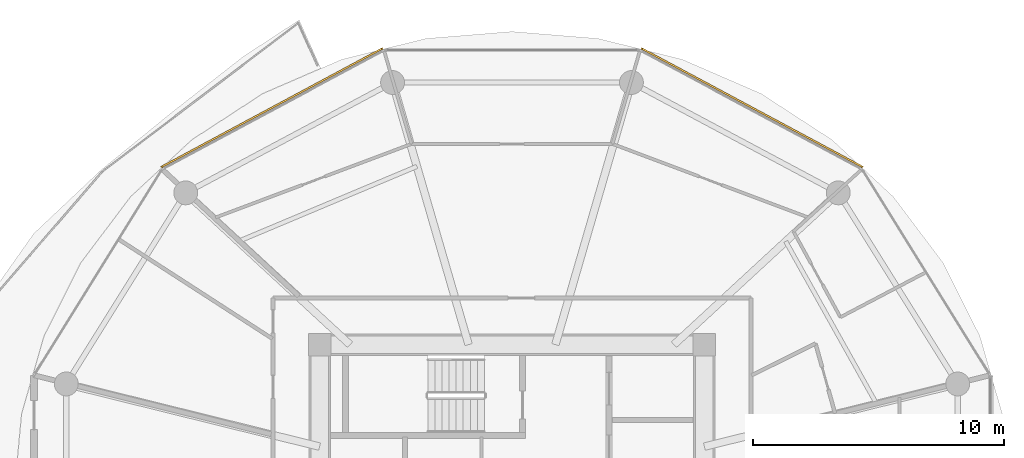
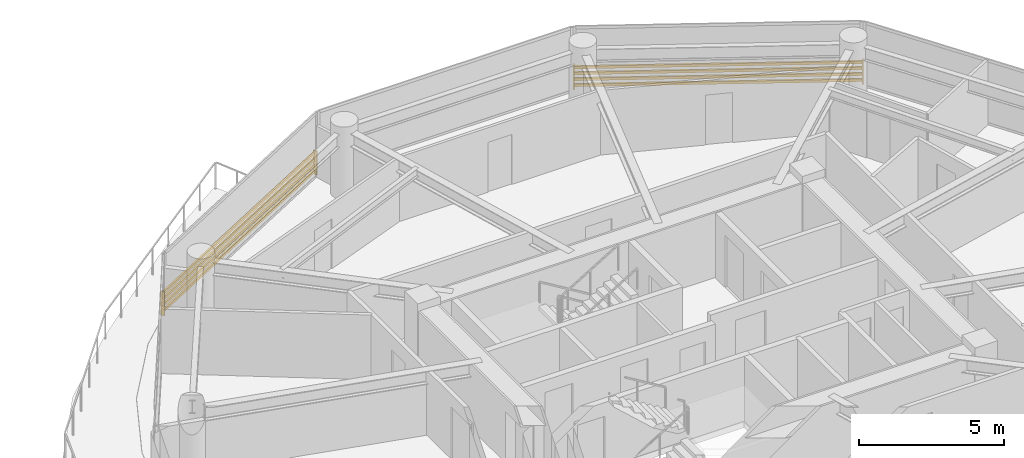
# One storey, part 26 of 26: 2 shading devices.
"""IFC4 building model written with IfcOpenShell, lengths in metres."""

import ifcopenshell
import ifcopenshell.guid

model = None  # the IFC model being written
_history = None  # IfcOwnerHistory: only IFC2X3 demands one
_inside = {}  # id of a spatial element -> (the spatial element, [elements in it])
_under = {}  # id of a project, library or spatial element -> (it, [spatial elements below it])
_declared = {}  # id of a project -> (the project, [libraries it declares])
_typed = {}  # id of a type object -> (the type object, [elements of that type])
_made_of = {}  # id of a material, layer set ... -> (it, [elements and type objects made of it])


def new_model(schema):
    """Start an empty IFC model of exactly this schema.

    Asked for "IFC4X3", IfcOpenShell would pick the latest addendum, in which some entities
    have other attributes; the version numbers below select the first issue.
    IFC2X3 requires an IfcOwnerHistory on every rooted entity: one is made here for all.
    """
    global model, _history
    if schema == "IFC4X3":
        model = ifcopenshell.file(schema_version=(4, 3, 0, 0))
    else:
        model = ifcopenshell.file(schema=schema)
    _inside.clear()
    _under.clear()
    _declared.clear()
    _typed.clear()
    _made_of.clear()
    _history = None
    if model.schema == "IFC2X3":
        org = make("IfcOrganization", Name="unknown")
        user = make(
            "IfcPersonAndOrganization",
            ThePerson=make("IfcPerson", FamilyName="unknown"),
            TheOrganization=org,
        )
        app = make(
            "IfcApplication",
            ApplicationDeveloper=org,
            Version="unknown",
            ApplicationFullName="unknown",
            ApplicationIdentifier="unknown",
        )
        _history = make(
            "IfcOwnerHistory",
            OwningUser=user,
            OwningApplication=app,
            ChangeAction="ADDED",
            CreationDate=0,
        )
    return model


def make(cls, **values):
    """One entity of the class cls with the attributes given. An attribute that is None is left unset."""
    return model.create_entity(
        cls, **{name: value for name, value in values.items() if value is not None}
    )


def rooted(cls, **values):
    """An entity with a GlobalId (a new one), such as an element, a storey or a relation."""
    return make(cls, GlobalId=ifcopenshell.guid.new(), OwnerHistory=_history, **values)


def si_unit(unit_type, name, prefix=None):
    """IfcSIUnit, for example si_unit("LENGTHUNIT", "METRE", prefix="MILLI")."""
    return make("IfcSIUnit", UnitType=unit_type, Prefix=prefix, Name=name)


def assignment(units):
    """IfcUnitAssignment: the units of a project."""
    return None if units is None else make("IfcUnitAssignment", Units=units)


def point(xyz):
    """IfcCartesianPoint."""
    return None if xyz is None else make("IfcCartesianPoint", Coordinates=xyz)


def direction(xyz):
    """IfcDirection."""
    return None if xyz is None else make("IfcDirection", DirectionRatios=xyz)


def frame(location, z_axis=None, x_axis=None):
    """IfcAxis2Placement3D, a coordinate frame: its origin and axes. An axis left out is left unset."""
    return make(
        "IfcAxis2Placement3D",
        Location=point(location),
        Axis=direction(z_axis),
        RefDirection=direction(x_axis),
    )


def frame_2d(location, x_axis=None):
    """IfcAxis2Placement2D, a coordinate frame in the plane: its origin and x axis."""
    return make(
        "IfcAxis2Placement2D", Location=point(location), RefDirection=direction(x_axis)
    )


def origin():
    """The frame at (0, 0, 0) with its axes left unset."""
    return frame((0.0, 0.0, 0.0))


def origin_2d():
    """The frame at (0, 0) in the plane with its x axis left unset."""
    return frame_2d((0.0, 0.0))


def place(relative_to, where):
    """IfcLocalPlacement: puts the frame where relative to a parent placement (None: the world)."""
    return make(
        "IfcLocalPlacement", PlacementRelTo=relative_to, RelativePlacement=where
    )


def context(
    kind, dimensions, precision=None, world=None, true_north=None, identifier=None
):
    """IfcGeometricRepresentationContext, for example the 3D "Model" context."""
    return make(
        "IfcGeometricRepresentationContext",
        ContextIdentifier=identifier,
        ContextType=kind,
        CoordinateSpaceDimension=dimensions,
        Precision=precision,
        WorldCoordinateSystem=world,
        TrueNorth=true_north,
    )


def subcontext(parent, identifier, kind, view, scale=None):
    """IfcGeometricRepresentationSubContext, for example "Body" below "Model"."""
    return make(
        "IfcGeometricRepresentationSubContext",
        ContextIdentifier=identifier,
        ContextType=kind,
        ParentContext=parent,
        TargetScale=scale,
        TargetView=view,
    )


def project(units=None, contexts=None):
    """IfcProject with its units and contexts."""
    return rooted(
        "IfcProject",
        Name="project",
        RepresentationContexts=contexts,
        UnitsInContext=assignment(units),
    )


def spatial(cls, under=None, at=None, **own):
    """A site, building, storey or space (cls), placed at a placement, below another one or the project."""
    s = rooted(cls, ObjectPlacement=at, **own)
    if under is not None:
        _under.setdefault(under.id(), (under, []))[1].append(s)
    return s


def profile(cls, at=None, kind="AREA", **sizes):
    """A parametric profile (cls). Its sizes go by their IFC names, for example OverallWidth=200.0."""
    return make(cls, ProfileType=kind, Position=at, **sizes)


def rectangle(**sizes):
    """IfcRectangleProfileDef."""
    return profile("IfcRectangleProfileDef", **sizes)


def extrude(swept, where, along, depth):
    """IfcExtrudedAreaSolid: the profile swept, set in the frame where, extruded along a direction by depth."""
    return make(
        "IfcExtrudedAreaSolid",
        SweptArea=swept,
        Position=where,
        ExtrudedDirection=direction(along),
        Depth=depth,
    )


def shape(context_of_items, identifier, shape_type, items):
    """IfcShapeRepresentation: the items that make up one representation, for example the "Body"."""
    return make(
        "IfcShapeRepresentation",
        ContextOfItems=context_of_items,
        RepresentationIdentifier=identifier,
        RepresentationType=shape_type,
        Items=items,
    )


def source(mapping_origin, context_of_items, identifier, shape_type, items):
    """IfcRepresentationMap: a shape defined once, which mapped items show again and again."""
    return make(
        "IfcRepresentationMap",
        MappingOrigin=mapping_origin,
        MappedRepresentation=shape(context_of_items, identifier, shape_type, items),
    )


def transform(
    local_origin,
    x_axis=None,
    y_axis=None,
    z_axis=None,
    scale=None,
    scale2=None,
    scale3=None,
    uniform=True,
):
    """IfcCartesianTransformationOperator3D, or its non-uniform kind. x_axis, y_axis, z_axis: its Axis1, 2, 3."""
    if uniform:
        return make(
            "IfcCartesianTransformationOperator3D",
            Axis1=direction(x_axis),
            Axis2=direction(y_axis),
            LocalOrigin=point(local_origin),
            Scale=scale,
            Axis3=direction(z_axis),
        )
    return make(
        "IfcCartesianTransformationOperator3DnonUniform",
        Axis1=direction(x_axis),
        Axis2=direction(y_axis),
        LocalOrigin=point(local_origin),
        Scale=scale,
        Axis3=direction(z_axis),
        Scale2=scale2,
        Scale3=scale3,
    )


def mapped(mapping_source, mapping_target):
    """IfcMappedItem: shows the shape of a source again, moved by a transform."""
    return make(
        "IfcMappedItem", MappingSource=mapping_source, MappingTarget=mapping_target
    )


def material(Name=None, Category=None):
    """IfcMaterial."""
    return make("IfcMaterial", Name=Name, Category=Category)


def made_of(thing, what):
    """Note that an element or type object is made of a material, layer set ...; save() writes the relation."""
    if what is not None:
        _made_of.setdefault(what.id(), (what, []))[1].append(thing)
    return thing


def type_object(cls, material=None, **own):
    """A type object (cls), such as IfcWallType, which elements share."""
    return made_of(rooted(cls, **own), material)


def type_shapes(of_type, sources):
    """Give a type object the sources (RepresentationMaps) that its elements show as mapped items."""
    of_type.RepresentationMaps = sources


def element(
    cls,
    number,
    at=None,
    inside=None,
    cuts=None,
    type_object=None,
    material=None,
    context=None,
    identifier="Body",
    shape_type=None,
    held_by="IfcProductDefinitionShape",
    body=None,
    shapes=None,
    **own,
):
    """One element of the class cls, such as IfcWall. Its Tag is "e" and its number.

    at: its placement. inside: the storey or other place that contains it. cuts: it is an
    opening in that element (IfcRelVoidsElement). A single representation is given by context,
    identifier, shape_type and body (its items); several are given by shapes. held_by: the class
    of the entity that holds the representations. save() writes the other relations.
    """
    e = rooted(cls, Tag="e%d" % number, ObjectPlacement=at, **own)
    if body is not None:
        shapes = [shape(context, identifier, shape_type, body)]
    if shapes is not None:
        e.Representation = make(held_by, Representations=shapes)
    if inside is not None:
        _inside.setdefault(inside.id(), (inside, []))[1].append(e)
    if cuts is not None:
        rooted(
            "IfcRelVoidsElement", RelatingBuildingElement=cuts, RelatedOpeningElement=e
        )
    if type_object is not None:
        _typed.setdefault(type_object.id(), (type_object, []))[1].append(e)
    return made_of(e, material)


def aggregate(whole, parts):
    """IfcRelAggregates: a whole, such as a stair, and the parts it consists of."""
    return rooted("IfcRelAggregates", RelatingObject=whole, RelatedObjects=parts)


def save(model, path):
    """Write the relations noted so far, then the file.

    IfcRelAggregates (storeys below a building ...), IfcRelContainedInSpatialStructure (elements
    in a storey), IfcRelDefinesByType, IfcRelAssociatesMaterial and IfcRelDeclares: one each for
    every whole, place, type object, material and project.
    """
    for whole, parts in _under.values():
        aggregate(whole, parts)
    for where, things in _inside.values():
        rooted(
            "IfcRelContainedInSpatialStructure",
            RelatedElements=things,
            RelatingStructure=where,
        )
    for kind, things in _typed.values():
        rooted("IfcRelDefinesByType", RelatedObjects=things, RelatingType=kind)
    for what, things in _made_of.values():
        rooted("IfcRelAssociatesMaterial", RelatedObjects=things, RelatingMaterial=what)
    for by, libraries in _declared.values():
        rooted("IfcRelDeclares", RelatingContext=by, RelatedDefinitions=libraries)
    model.write(path)


model = new_model("IFC4")

# Units and contexts
model_context = context("Model", 3, precision=1e-05, world=origin(), true_north=direction((0.0, 1.0)))
body_context = subcontext(model_context, "Body", "Model", "MODEL_VIEW")
ifc_project = project(units=[si_unit("LENGTHUNIT", "METRE"), si_unit("AREAUNIT", "SQUARE_METRE"), si_unit("VOLUMEUNIT", "CUBIC_METRE"), si_unit("PLANEANGLEUNIT", "RADIAN"), si_unit("MASSUNIT", "GRAM", prefix="KILO")], contexts=[model_context])

# Site, building, storey
site_placement = place(None, origin())
site = spatial("IfcSite", under=ifc_project, at=site_placement, CompositionType="ELEMENT")
building_placement = place(site_placement, origin())
building = spatial("IfcBuilding", under=site, at=building_placement, Name="Norrkilde Senior Care Towers", CompositionType="ELEMENT")
storey_placement = place(building_placement, frame((0.0, 0.0, 70.39990234375)))
storey = spatial("IfcBuildingStorey", under=building, at=storey_placement, Name="L21", CompositionType="ELEMENT", Elevation=70.39990234375)

# Shading devices
ifc_material = material(Name="Architectural Terracotta", Category="masonry")
shading_device_type = type_object("IfcShadingDeviceType", Name="Horizontal Terracotta Baguette Rack", PredefinedType="USERDEFINED", material=ifc_material)
shared_shape = source(origin(), body_context, "Body", "SweptSolid", [
    extrude(rectangle(XDim=0.070068359375, YDim=0.110107421875, at=origin_2d()), frame((0.0, 0.090087890625, 0.125), z_axis=(1.0, 0.0, 0.0), x_axis=(0.0, 1.0, 0.0)), (0.0, 0.0, 1.0), 10.0107421875),
    extrude(rectangle(XDim=0.070068359375, YDim=0.110107421875, at=origin_2d()), frame((0.0, 0.090087890625, 0.375), z_axis=(1.0, 0.0, 0.0), x_axis=(0.0, 1.0, 0.0)), (0.0, 0.0, 1.0), 10.0107421875),
    extrude(rectangle(XDim=0.070068359375, YDim=0.110107421875, at=origin_2d()), frame((0.0, 0.090087890625, 0.625), z_axis=(1.0, 0.0, 0.0), x_axis=(0.0, 1.0, 0.0)), (0.0, 0.0, 1.0), 10.0107421875),
    extrude(rectangle(XDim=0.070068359375, YDim=0.110107421875, at=origin_2d()), frame((0.0, 0.090087890625, 0.875), z_axis=(1.0, 0.0, 0.0), x_axis=(0.0, 1.0, 0.0)), (0.0, 0.0, 1.0), 10.0107421875),
    extrude(rectangle(XDim=0.050048828125, YDim=0.1552734375, at=origin_2d()), frame((0.02490234375, 0.047607421875, 0.0)), (0.0, 0.0, 1.0), 1.0),
    extrude(rectangle(XDim=0.050048828125, YDim=0.1552734375, at=origin_2d()), frame((9.98583984375, 0.047607421875, 0.0)), (0.0, 0.0, 1.0), 1.0),
])
type_shapes(shading_device_type, [shared_shape])
for number, where, z_axis, x_axis, name in (
    (1, (33.093505859375, 17.6572265625, 0.080078125), (0.0, 0.0, 1.0), (0.881279875134, -0.472612428056, 0.0), "L21 Drum E Terracotta Baguette Screen 01"),
    (2, (14.084228515625, 12.926025390625, 0.080078125), (0.0, 0.0, 1.0), (0.881279875134, 0.472612428056, 0.0), "L21 Drum E Terracotta Baguette Screen 03"),
):
    element("IfcShadingDevice", number, at=place(storey_placement, frame(where, z_axis=z_axis, x_axis=x_axis)), inside=storey, type_object=shading_device_type, Name=name, ObjectType="BAGUETTE", PredefinedType="USERDEFINED", context=body_context, shape_type="MappedRepresentation", body=[
        mapped(shared_shape, transform((0.0, 0.0, 0.0), x_axis=(1.0, 0.0, 0.0), y_axis=(0.0, 1.0, 0.0), z_axis=(0.0, 0.0, 1.0), scale=1.0)),
    ])

save(model, "model.ifc")
